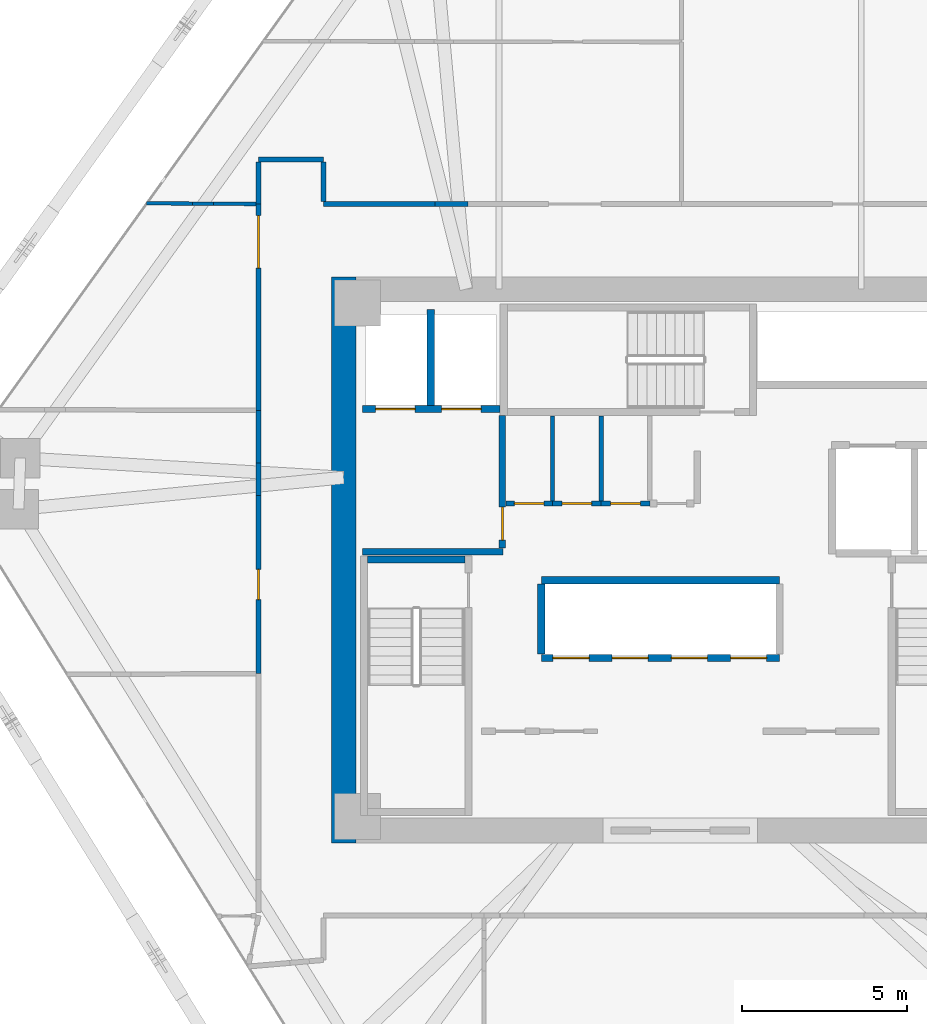
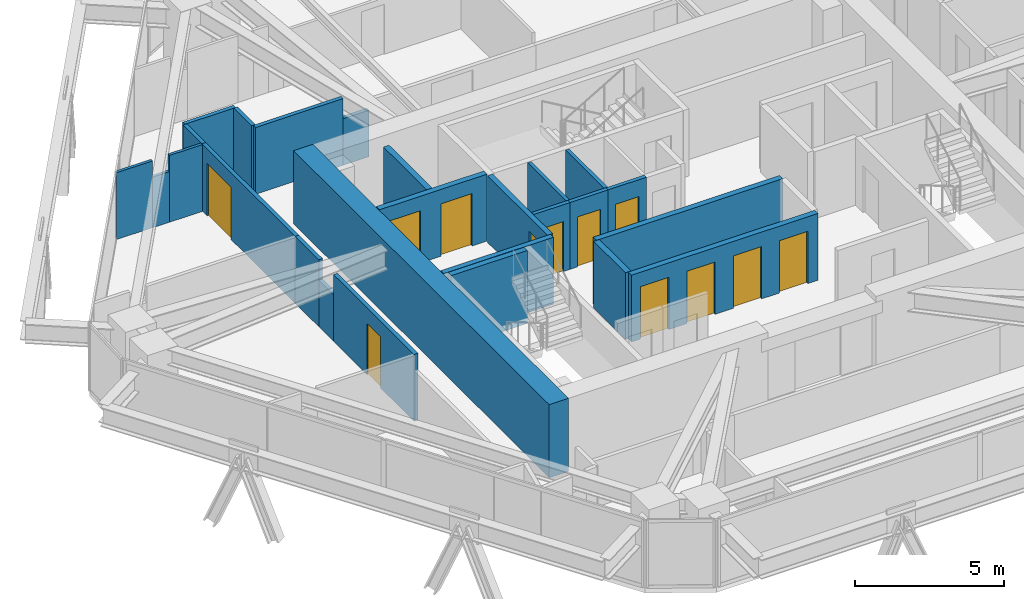
# One storey, part 13 of 17: 26 walls, 12 doors, 12 openings.
"""IFC4 building model written with IfcOpenShell, lengths in metres."""

from ifc_helpers import new_model, si_unit, direction, frame, frame_2d, origin, place, context, subcontext, project, spatial, rectangle, extrude, source, transform, mapped, material, layer, layer_set, type_object, type_shapes, element, fill, save


model = new_model("IFC4")

# Units and contexts
model_context = context("Model", 3, precision=1e-05, world=origin(), true_north=direction((0.0, 1.0)))
body_context = subcontext(model_context, "Body", "Model", "MODEL_VIEW")
ifc_project = project(units=[si_unit("LENGTHUNIT", "METRE"), si_unit("AREAUNIT", "SQUARE_METRE"), si_unit("VOLUMEUNIT", "CUBIC_METRE"), si_unit("PLANEANGLEUNIT", "RADIAN"), si_unit("MASSUNIT", "GRAM", prefix="KILO")], contexts=[model_context])

# Site, building, storey
site_placement = place(None, origin())
site = spatial("IfcSite", under=ifc_project, at=site_placement, CompositionType="ELEMENT")
building_placement = place(site_placement, origin())
building = spatial("IfcBuilding", under=site, at=building_placement, Name="Durnholm Broadcast Tower", CompositionType="ELEMENT")
storey_placement = place(building_placement, frame((0.0, 0.0, 137.10009765625)))
storey = spatial("IfcBuildingStorey", under=building, at=storey_placement, Name="L37", CompositionType="ELEMENT", Elevation=137.10009765625)

# Walls
ifc_material_1 = material(Name="Concrete C70/85", Category="concrete")
ifc_layer_1 = layer(ifc_material_1, 0.75)
ifc_layer_set_1 = layer_set([ifc_layer_1], Name="Concrete C70/85")
wall_type_1 = type_object("IfcWallType", Name="WALL-CW-750", PredefinedType="SHEAR", material=ifc_layer_set_1)
wall_1_placement = place(storey_placement, frame((-10.22509765625, -8.60009765625, 0.0), z_axis=(0.0, 0.0, 1.0), x_axis=(0.0, 1.0, 0.0)))
element("IfcWall", 1, at=wall_1_placement, inside=storey, type_object=wall_type_1, Name="L37 central core shear wall CW-WEST", PredefinedType="SHEAR", context=body_context, shape_type="SweptSolid", body=[
    extrude(rectangle(XDim=17.2001953125, YDim=0.75, at=frame_2d((8.60009765625, 0.0))), origin(), (0.0, 0.0, 1.0), 3.0),
])
ifc_material_2 = material(Name="Fire-Rated Gypsum Shaftwall", Category="concrete")
ifc_layer_2 = layer(ifc_material_2, 0.199951171875)
ifc_layer_set_2 = layer_set([ifc_layer_2], Name="Fire-Rated Gypsum Shaftwall")
wall_type_2 = type_object("IfcWallType", Name="WALL-LOB-200", PredefinedType="SOLIDWALL", material=ifc_layer_set_2)
wall_2_placement = place(storey_placement, frame((-9.64990234375, 0.25, 0.0), z_axis=(0.0, 0.0, 1.0), x_axis=(1.0, 0.0, 0.0)))
element("IfcWall", 2, at=wall_2_placement, inside=storey, type_object=wall_type_2, Name="L37 Fire Service Access Elevator lobby south wall", PredefinedType="SOLIDWALL", context=body_context, shape_type="SweptSolid", body=[
    extrude(rectangle(XDim=4.27001953125, YDim=0.199951171875, at=frame_2d((2.135009765625, 0.0))), origin(), (0.0, 0.0, 1.0), 2.744873046875),
])

# Wall, opening, door
wall_3_placement = place(storey_placement, frame((-5.39990234375, 0.35400390625, 0.0), z_axis=(0.0, 0.0, 1.0), x_axis=(0.0, 1.0, 0.0)))
wall_3 = element("IfcWall", 3, at=wall_3_placement, inside=storey, type_object=wall_type_2, Name="L37 Fire Service Access Elevator lobby east fire wall", PredefinedType="SOLIDWALL", context=body_context, shape_type="SweptSolid", body=[
    extrude(rectangle(XDim=4.02587890625, YDim=0.199951171875, at=frame_2d((2.012939453125, 0.0))), origin(), (0.0, 0.0, 1.0), 2.744873046875),
])
opening_1_placement = place(wall_3_placement, frame((0.24609375, 0.0, 0.0)))
opening_1 = element("IfcOpeningElement", 4, at=opening_1_placement, cuts=wall_3, Name="Opening DL-60R", PredefinedType="OPENING", context=body_context, shape_type="SweptSolid", body=[
    extrude(rectangle(XDim=1.0, YDim=2.14990234375, at=frame_2d((0.5, 1.074951171875))), frame((0.0, 0.10986328125, 0.0), z_axis=(0.0, -1.0, 0.0), x_axis=(1.0, 0.0, 0.0)), (0.0, 0.0, 1.0), 0.219970703125),
])
ifc_material_3 = material(Name="Fire-Rated Timber/Steel Door", Category="steel")
ifc_layer_3 = layer(ifc_material_3, 0.050048828125)
ifc_layer_set_3 = layer_set([ifc_layer_3], Name="Fire-Rated Timber/Steel Door")
door_type_1 = type_object("IfcDoorType", Name="DOOR-LOB-FD60-R", OperationType="NOTDEFINED", PredefinedType="DOOR", material=ifc_layer_set_3)
shared_shape_1 = source(origin(), body_context, "Body", "SweptSolid", [
    extrude(rectangle(XDim=1.0, YDim=2.14990234375, at=frame_2d((0.5, 1.074951171875))), frame((0.0, 0.02490234375, 0.0), z_axis=(0.0, -1.0, 0.0), x_axis=(1.0, 0.0, 0.0)), (0.0, 0.0, 1.0), 0.050048828125),
])
type_shapes(door_type_1, [shared_shape_1])
door_1_placement = place(opening_1_placement, origin())
door_1 = element("IfcDoor", 5, at=door_1_placement, inside=storey, type_object=door_type_1, Name="L37 Fire Service Access Elevator lobby smoke door", OperationType="SINGLE_SWING_RIGHT", OverallHeight=2.14990234375, OverallWidth=1.0, PredefinedType="DOOR", context=body_context, shape_type="MappedRepresentation", body=[
    mapped(shared_shape_1, transform((0.0, 0.0, 0.0), x_axis=(1.0, 0.0, 0.0), y_axis=(0.0, 1.0, 0.0), z_axis=(0.0, 0.0, 1.0), scale=1.0)),
])
fill(opening_1, door_1)

# Walls
ifc_material_4 = material(Name="Operable Acoustic Panel Partition", Category="aluminium")
ifc_layer_4 = layer(ifc_material_4, 0.110107421875)
ifc_layer_set_4 = layer_set([ifc_layer_4], Name="Operable Acoustic Panel Partition")
wall_type_3 = type_object("IfcWallType", Name="WALL-MOV-110", PredefinedType="MOVABLE", material=ifc_layer_set_4)
wall_4_placement = place(storey_placement, frame((-12.888916015625, 10.810546875, 0.0), z_axis=(0.0, 0.0, 1.0), x_axis=(-0.999976553189, 0.00684785161, 0.0)))
element("IfcWall", 6, at=wall_4_placement, inside=storey, type_object=wall_type_3, Name="L37 room dividing partition 11.18", PredefinedType="MOVABLE", context=body_context, shape_type="SweptSolid", body=[
    extrude(rectangle(XDim=1.283447265625, YDim=0.110107421875, at=frame_2d((0.6416015625, 0.0))), origin(), (0.0, 0.0, 1.0), 2.744873046875),
])
wall_5_placement = place(storey_placement, frame((-14.82080078125, 10.82373046875, 0.0), z_axis=(0.0, 0.0, 1.0), x_axis=(-0.999976577186, 0.006844346527, 0.0)))
element("IfcWall", 7, at=wall_5_placement, inside=storey, type_object=wall_type_3, Name="L37 room dividing partition 11.18", PredefinedType="MOVABLE", context=body_context, shape_type="SweptSolid", body=[
    extrude(rectangle(XDim=1.39111328125, YDim=0.110107421875, at=frame_2d((0.695556640625, 0.0))), origin(), (0.0, 0.0, 1.0), 2.744873046875),
])
wall_6_placement = place(storey_placement, frame((-14.17236328125, 10.8193359375, 0.0), z_axis=(0.0, 0.0, 1.0), x_axis=(-0.999977036192, 0.006776952806, 0.0)))
element("IfcWall", 8, at=wall_6_placement, inside=storey, type_object=wall_type_3, Name="L37 room dividing partition 11.18", PredefinedType="MOVABLE", context=body_context, shape_type="SweptSolid", body=[
    extrude(rectangle(XDim=0.6484375, YDim=0.110107421875, at=frame_2d((0.32421875, 0.0))), origin(), (0.0, 0.0, 1.0), 2.079833984375),
])
ifc_material_5 = material(Name="Gypsum Metal Stud Partition", Category="concrete")
ifc_layer_5 = layer(ifc_material_5, 0.135009765625)
ifc_layer_set_5 = layer_set([ifc_layer_5], Name="Gypsum Metal Stud Partition")
wall_type_4 = type_object("IfcWallType", Name="WALL-PART-135", PredefinedType="PARTITIONING", material=ifc_layer_set_5)
for number, where, z_axis, x_axis, name in (
    (9, (-3.8798828125, 4.375, 0.0), (0.0, 0.0, 1.0), (0.0, -1.0, 0.0), "L37 room dividing partition 4.5"),
    (10, (-2.39990234375, 4.375, 0.0), (0.0, 0.0, 1.0), (0.0, -1.0, 0.0), "L37 room dividing partition 5.6"),
):
    element("IfcWall", number, at=place(storey_placement, frame(where, z_axis=z_axis, x_axis=x_axis)), inside=storey, type_object=wall_type_4, Name=name, PredefinedType="PARTITIONING", context=body_context, shape_type="SweptSolid", body=[
        extrude(rectangle(XDim=2.5859375, YDim=0.135009765625, at=frame_2d((1.29296875, 0.0))), origin(), (0.0, 0.0, 1.0), 2.744873046875),
    ])

# Wall, opening, door
ifc_material_6 = material(Name="Acoustic Gypsum Stud Partition", Category="concrete")
ifc_layer_6 = layer(ifc_material_6, 0.14990234375)
ifc_layer_set_6 = layer_set([ifc_layer_6], Name="Acoustic Gypsum Stud Partition")
wall_type_5 = type_object("IfcWallType", Name="WALL-PART-150", PredefinedType="PARTITIONING", material=ifc_layer_set_6)
wall_7_placement = place(storey_placement, frame((-3.8798828125, 1.7099609375, 0.0), z_axis=(0.0, 0.0, 1.0), x_axis=(-1.0, 0.0, 0.0)))
wall_7 = element("IfcWall", 11, at=wall_7_placement, inside=storey, type_object=wall_type_5, Name="L37 Core First Aid Store corridor partition", PredefinedType="PARTITIONING", context=body_context, shape_type="SweptSolid", body=[
    extrude(rectangle(XDim=1.416015625, YDim=0.14990234375, at=frame_2d((0.7080078125, 0.0))), origin(), (0.0, 0.0, 1.0), 2.744873046875),
])
opening_2_placement = place(wall_7_placement, frame((0.258056640625, 0.0, 0.0)))
opening_2 = element("IfcOpeningElement", 12, at=opening_2_placement, cuts=wall_7, Name="Opening DC-60R", PredefinedType="OPENING", context=body_context, shape_type="SweptSolid", body=[
    extrude(rectangle(XDim=0.89990234375, YDim=2.050048828125, at=frame_2d((0.449951171875, 1.02490234375))), frame((0.0, 0.0849609375, 0.0), z_axis=(0.0, -1.0, 0.0), x_axis=(1.0, 0.0, 0.0)), (0.0, 0.0, 1.0), 0.169921875),
])
ifc_material_7 = material(Name="Fire-Rated Core Service Door", Category="steel")
ifc_layer_7 = layer(ifc_material_7, 0.050048828125)
ifc_layer_set_7 = layer_set([ifc_layer_7], Name="Fire-Rated Core Service Door")
door_type_2 = type_object("IfcDoorType", Name="DOOR-CORE-FD60-R", OperationType="NOTDEFINED", PredefinedType="DOOR", material=ifc_layer_set_7)
shared_shape_2 = source(origin(), body_context, "Body", "SweptSolid", [
    extrude(rectangle(XDim=0.89990234375, YDim=2.050048828125, at=frame_2d((0.449951171875, 1.02490234375))), frame((0.0, 0.02490234375, 0.0), z_axis=(0.0, -1.0, 0.0), x_axis=(1.0, 0.0, 0.0)), (0.0, 0.0, 1.0), 0.050048828125),
])
type_shapes(door_type_2, [shared_shape_2])
door_2_placement = place(opening_2_placement, origin())
door_2 = element("IfcDoor", 13, at=door_2_placement, inside=storey, type_object=door_type_2, Name="L37 Core First Aid Store entrance door", OperationType="SINGLE_SWING_RIGHT", OverallHeight=2.050048828125, OverallWidth=0.89990234375, PredefinedType="DOOR", context=body_context, shape_type="MappedRepresentation", body=[
    mapped(shared_shape_2, transform((0.0, 0.0, 0.0), x_axis=(1.0, 0.0, 0.0), y_axis=(0.0, 1.0, 0.0), z_axis=(0.0, 0.0, 1.0), scale=1.0)),
])
fill(opening_2, door_2)

wall_8_placement = place(storey_placement, frame((-2.39990234375, 1.7099609375, 0.0), z_axis=(0.0, 0.0, 1.0), x_axis=(-1.0, 0.0, 0.0)))
wall_8 = element("IfcWall", 14, at=wall_8_placement, inside=storey, type_object=wall_type_5, Name="L37 Core Linen Supply Closet corridor partition", PredefinedType="PARTITIONING", context=body_context, shape_type="SweptSolid", body=[
    extrude(rectangle(XDim=1.47998046875, YDim=0.14990234375, at=frame_2d((0.739990234375, 0.0))), origin(), (0.0, 0.0, 1.0), 2.744873046875),
])
opening_3_placement = place(wall_8_placement, frame((0.2900390625, 0.0, 0.0)))
opening_3 = element("IfcOpeningElement", 15, at=opening_3_placement, cuts=wall_8, Name="Opening DC-60L", PredefinedType="OPENING", context=body_context, shape_type="SweptSolid", body=[
    extrude(rectangle(XDim=0.89990234375, YDim=2.050048828125, at=frame_2d((0.449951171875, 1.02490234375))), frame((0.0, 0.0849609375, 0.0), z_axis=(0.0, -1.0, 0.0), x_axis=(1.0, 0.0, 0.0)), (0.0, 0.0, 1.0), 0.169921875),
])
ifc_layer_8 = layer(ifc_material_7, 0.050048828125)
ifc_layer_set_8 = layer_set([ifc_layer_8], Name="Fire-Rated Core Service Door")
door_type_3 = type_object("IfcDoorType", Name="DOOR-CORE-FD60-L", OperationType="NOTDEFINED", PredefinedType="DOOR", material=ifc_layer_set_8)
shared_shape_3 = source(origin(), body_context, "Body", "SweptSolid", [
    extrude(rectangle(XDim=0.89990234375, YDim=2.050048828125, at=frame_2d((0.449951171875, 1.02490234375))), frame((0.0, 0.02490234375, 0.0), z_axis=(0.0, -1.0, 0.0), x_axis=(1.0, 0.0, 0.0)), (0.0, 0.0, 1.0), 0.050048828125),
])
type_shapes(door_type_3, [shared_shape_3])
door_3_placement = place(opening_3_placement, origin())
door_3 = element("IfcDoor", 16, at=door_3_placement, inside=storey, type_object=door_type_3, Name="L37 Core Linen Supply Closet entrance door", OperationType="SINGLE_SWING_LEFT", OverallHeight=2.050048828125, OverallWidth=0.89990234375, PredefinedType="DOOR", context=body_context, shape_type="MappedRepresentation", body=[
    mapped(shared_shape_3, transform((0.0, 0.0, 0.0), x_axis=(1.0, 0.0, 0.0), y_axis=(0.0, 1.0, 0.0), z_axis=(0.0, 0.0, 1.0), scale=1.0)),
])
fill(opening_3, door_3)

wall_9_placement = place(storey_placement, frame((-0.919921875, 1.7099609375, 0.0), z_axis=(0.0, 0.0, 1.0), x_axis=(-1.0, 0.0, 0.0)))
wall_9 = element("IfcWall", 17, at=wall_9_placement, inside=storey, type_object=wall_type_5, Name="L37 Core Safety Gear Store corridor partition", PredefinedType="PARTITIONING", context=body_context, shape_type="SweptSolid", body=[
    extrude(rectangle(XDim=1.47998046875, YDim=0.14990234375, at=frame_2d((0.739990234375, 0.0))), origin(), (0.0, 0.0, 1.0), 2.744873046875),
])
opening_4_placement = place(wall_9_placement, frame((0.2900390625, 0.0, 0.0)))
opening_4 = element("IfcOpeningElement", 18, at=opening_4_placement, cuts=wall_9, Name="Opening DC-60R", PredefinedType="OPENING", context=body_context, shape_type="SweptSolid", body=[
    extrude(rectangle(XDim=0.89990234375, YDim=2.050048828125, at=frame_2d((0.449951171875, 1.02490234375))), frame((0.0, 0.0849609375, 0.0), z_axis=(0.0, -1.0, 0.0), x_axis=(1.0, 0.0, 0.0)), (0.0, 0.0, 1.0), 0.169921875),
])
door_4_placement = place(opening_4_placement, origin())
door_4 = element("IfcDoor", 19, at=door_4_placement, inside=storey, type_object=door_type_2, Name="L37 Core Safety Gear Store entrance door", OperationType="SINGLE_SWING_RIGHT", OverallHeight=2.050048828125, OverallWidth=0.89990234375, PredefinedType="DOOR", context=body_context, shape_type="MappedRepresentation", body=[
    mapped(shared_shape_2, transform((0.0, 0.0, 0.0), x_axis=(1.0, 0.0, 0.0), y_axis=(0.0, 1.0, 0.0), z_axis=(0.0, 0.0, 1.0), scale=1.0)),
])
fill(opening_4, door_4)

# Walls
wall_10_placement = place(storey_placement, frame((-7.44287109375, 10.81005859375, 0.0), z_axis=(0.0, 0.0, 1.0), x_axis=(-1.0, 0.0, 0.0)))
element("IfcWall", 20, at=wall_10_placement, inside=storey, type_object=wall_type_5, Name="L37 Interactive Media Hall corridor partition", PredefinedType="PARTITIONING", context=body_context, shape_type="SweptSolid", body=[
    extrude(rectangle(XDim=3.397216796875, YDim=0.14990234375, at=frame_2d((1.69873046875, 0.0))), origin(), (0.0, 0.0, 1.0), 2.744873046875),
])
wall_11_placement = place(storey_placement, frame((-6.441162109375, 10.81005859375, 0.0), z_axis=(0.0, 0.0, 1.0), x_axis=(-1.0, 0.0, 0.0)))
element("IfcWall", 21, at=wall_11_placement, inside=storey, type_object=wall_type_5, Name="L37 Interactive Media Hall corridor partition", PredefinedType="PARTITIONING", context=body_context, shape_type="SweptSolid", body=[
    extrude(rectangle(XDim=1.001708984375, YDim=0.14990234375, at=frame_2d((0.5009765625, 0.0))), origin(), (0.0, 0.0, 1.0), 1.912109375),
])
wall_12_placement = place(storey_placement, frame((-10.840087890625, 12.159912109375, 0.0), z_axis=(0.0, 0.0, 1.0), x_axis=(-1.0, 0.0, 0.0)))
element("IfcWall", 22, at=wall_12_placement, inside=storey, type_object=wall_type_5, Name="L37 Interactive Media Hall corridor partition", PredefinedType="PARTITIONING", context=body_context, shape_type="SweptSolid", body=[
    extrude(rectangle(XDim=1.969970703125, YDim=0.14990234375, at=frame_2d((0.98486328125, 0.0))), origin(), (0.0, 0.0, 1.0), 2.744873046875),
])
wall_13_placement = place(storey_placement, frame((-10.840087890625, 10.888916015625, 0.0), z_axis=(0.0, 0.0, 1.0), x_axis=(0.0, 1.0, 0.0)))
element("IfcWall", 23, at=wall_13_placement, inside=storey, type_object=wall_type_5, Name="L37 Interactive Media Hall corridor partition", PredefinedType="PARTITIONING", context=body_context, shape_type="SweptSolid", body=[
    extrude(rectangle(XDim=1.192138671875, YDim=0.14990234375, at=frame_2d((0.59619140625, 0.0))), origin(), (0.0, 0.0, 1.0), 2.744873046875),
])
wall_14_placement = place(storey_placement, frame((-12.81005859375, 12.0810546875, 0.0), z_axis=(0.0, 0.0, 1.0), x_axis=(0.0, -1.0, 0.0)))
element("IfcWall", 24, at=wall_14_placement, inside=storey, type_object=wall_type_5, Name="L37 Interactive Media Hall corridor partition", PredefinedType="PARTITIONING", context=body_context, shape_type="SweptSolid", body=[
    extrude(rectangle(XDim=1.27099609375, YDim=0.14990234375, at=frame_2d((0.635498046875, 0.0))), origin(), (0.0, 0.0, 1.0), 2.744873046875),
])
wall_15_placement = place(storey_placement, frame((-12.81005859375, 4.5400390625, 0.0), z_axis=(0.0, 0.0, 1.0), x_axis=(0.0, -1.0, 0.0)))
element("IfcWall", 25, at=wall_15_placement, inside=storey, type_object=wall_type_5, Name="L37 Open Plan Broadcast Workspace 2 corridor partition", PredefinedType="PARTITIONING", context=body_context, shape_type="SweptSolid", body=[
    extrude(rectangle(XDim=1.591552734375, YDim=0.14990234375, at=frame_2d((0.7958984375, 0.0))), origin(), (0.0, 0.0, 1.0), 2.744873046875),
])

# Wall, opening, door
wall_16_placement = place(storey_placement, frame((-12.81005859375, 1.955322265625, 0.0), z_axis=(0.0, 0.0, 1.0), x_axis=(0.0, -1.0, 0.0)))
wall_16 = element("IfcWall", 26, at=wall_16_placement, inside=storey, type_object=wall_type_5, Name="L37 Open Plan Broadcast Workspace 2 corridor partition", PredefinedType="PARTITIONING", context=body_context, shape_type="SweptSolid", body=[
    extrude(rectangle(XDim=5.415283203125, YDim=0.14990234375, at=frame_2d((2.70751953125, 0.0))), origin(), (0.0, 0.0, 1.0), 2.744873046875),
])
opening_5_placement = place(wall_16_placement, frame((2.247802734375, 0.0, 0.0)))
opening_5 = element("IfcOpeningElement", 27, at=opening_5_placement, cuts=wall_16, Name="Opening DR-92L", PredefinedType="OPENING", context=body_context, shape_type="SweptSolid", body=[
    extrude(rectangle(XDim=0.919921875, YDim=2.10009765625, at=frame_2d((0.4599609375, 1.050048828125))), frame((0.0, 0.0849609375, 0.0), z_axis=(0.0, -1.0, 0.0), x_axis=(1.0, 0.0, 0.0)), (0.0, 0.0, 1.0), 0.169921875),
])
ifc_material_8 = material(Name="Oak Veneer Office Door", Category="wood")
ifc_layer_9 = layer(ifc_material_8, 0.050048828125)
ifc_layer_set_9 = layer_set([ifc_layer_9], Name="Oak Veneer Office Door")
door_type_4 = type_object("IfcDoorType", Name="DOOR-RM-920L", OperationType="NOTDEFINED", PredefinedType="DOOR", material=ifc_layer_set_9)
shared_shape_4 = source(origin(), body_context, "Body", "SweptSolid", [
    extrude(rectangle(XDim=0.919921875, YDim=2.10009765625, at=frame_2d((0.4599609375, 1.050048828125))), frame((0.0, 0.02490234375, 0.0), z_axis=(0.0, -1.0, 0.0), x_axis=(1.0, 0.0, 0.0)), (0.0, 0.0, 1.0), 0.050048828125),
])
type_shapes(door_type_4, [shared_shape_4])
door_5_placement = place(opening_5_placement, origin())
door_5 = element("IfcDoor", 28, at=door_5_placement, inside=storey, type_object=door_type_4, Name="L37 Open Plan Broadcast Workspace 2 entrance door", OperationType="SINGLE_SWING_LEFT", OverallHeight=2.10009765625, OverallWidth=0.919921875, PredefinedType="DOOR", context=body_context, shape_type="MappedRepresentation", body=[
    mapped(shared_shape_4, transform((0.0, 0.0, 0.0), x_axis=(1.0, 0.0, 0.0), y_axis=(0.0, 1.0, 0.0), z_axis=(0.0, 0.0, 1.0), scale=1.0)),
])
fill(opening_5, door_5)

# Wall
wall_17_placement = place(storey_placement, frame((-12.81005859375, 2.948486328125, 0.0), z_axis=(0.0, 0.0, 1.0), x_axis=(0.0, -1.0, 0.0)))
element("IfcWall", 29, at=wall_17_placement, inside=storey, type_object=wall_type_5, Name="L37 Open Plan Broadcast Workspace 2 corridor partition", PredefinedType="PARTITIONING", context=body_context, shape_type="SweptSolid", body=[
    extrude(rectangle(XDim=0.9931640625, YDim=0.14990234375, at=frame_2d((0.49658203125, 0.0))), origin(), (0.0, 0.0, 1.0), 1.912109375),
])

# Wall, opening, door
wall_18_placement = place(storey_placement, frame((-12.81005859375, 10.81005859375, 0.0), z_axis=(0.0, 0.0, 1.0), x_axis=(0.0, -1.0, 0.0)))
wall_18 = element("IfcWall", 30, at=wall_18_placement, inside=storey, type_object=wall_type_5, Name="L37 Virtual Production Auditorium corridor partition", PredefinedType="PARTITIONING", context=body_context, shape_type="SweptSolid", body=[
    extrude(rectangle(XDim=6.27001953125, YDim=0.14990234375, at=frame_2d((3.135009765625, 0.0))), origin(), (0.0, 0.0, 1.0), 2.744873046875),
])
opening_6_placement = place(wall_18_placement, frame((0.35009765625, 0.0, 0.0)))
opening_6 = element("IfcOpeningElement", 31, at=opening_6_placement, cuts=wall_18, Name="Opening DST-160", PredefinedType="OPENING", context=body_context, shape_type="SweptSolid", body=[
    extrude(rectangle(XDim=1.60009765625, YDim=2.14990234375, at=frame_2d((0.800048828125, 1.074951171875))), frame((0.0, 0.0849609375, 0.0), z_axis=(0.0, -1.0, 0.0), x_axis=(1.0, 0.0, 0.0)), (0.0, 0.0, 1.0), 0.169921875),
])
ifc_material_9 = material(Name="Acoustic Broadcast Studio Sound-Lock Door", Category="steel")
ifc_layer_10 = layer(ifc_material_9, 0.050048828125)
ifc_layer_set_10 = layer_set([ifc_layer_10], Name="Acoustic Broadcast Studio Sound-Lock Door")
door_type_5 = type_object("IfcDoorType", Name="DOOR-STU-1600", OperationType="DOUBLE_DOOR_SINGLE_SWING", PredefinedType="DOOR", material=ifc_layer_set_10)
shared_shape_5 = source(origin(), body_context, "Body", "SweptSolid", [
    extrude(rectangle(XDim=1.60009765625, YDim=2.14990234375, at=frame_2d((0.800048828125, 1.074951171875))), frame((0.0, 0.02490234375, 0.0), z_axis=(0.0, -1.0, 0.0), x_axis=(1.0, 0.0, 0.0)), (0.0, 0.0, 1.0), 0.050048828125),
])
type_shapes(door_type_5, [shared_shape_5])
door_6_placement = place(opening_6_placement, origin())
door_6 = element("IfcDoor", 32, at=door_6_placement, inside=storey, type_object=door_type_5, Name="L37 Virtual Production Auditorium entrance door", OperationType="DOUBLE_DOOR_SINGLE_SWING", OverallHeight=2.14990234375, OverallWidth=1.60009765625, PredefinedType="DOOR", context=body_context, shape_type="MappedRepresentation", body=[
    mapped(shared_shape_5, transform((0.0, 0.0, 0.0), x_axis=(1.0, 0.0, 0.0), y_axis=(0.0, 1.0, 0.0), z_axis=(0.0, 0.0, 1.0), scale=1.0)),
])
fill(opening_6, door_6)

# Wall, openings, doors
ifc_material_10 = material(Name="Concrete Blockwork C30/37", Category="masonry")
ifc_layer_11 = layer(ifc_material_10, 0.219970703125)
ifc_layer_set_11 = layer_set([ifc_layer_11], Name="Concrete Blockwork C30/37")
wall_type_6 = type_object("IfcWallType", Name="WALL-SHAFT-220", PredefinedType="SOLIDWALL", material=ifc_layer_set_11)
wall_19_placement = place(storey_placement, frame((-9.64990234375, 4.580078125, 0.0), z_axis=(0.0, 0.0, 1.0), x_axis=(1.0, 0.0, 0.0)))
wall_19 = element("IfcWall", 33, at=wall_19_placement, inside=storey, type_object=wall_type_6, Name="L37 FSAE hoistway front fire wall", PredefinedType="SOLIDWALL", context=body_context, shape_type="SweptSolid", body=[
    extrude(rectangle(XDim=4.1748046875, YDim=0.219970703125, at=frame_2d((2.08740234375, 0.0))), origin(), (0.0, 0.0, 1.0), 2.744873046875),
])
opening_7_placement = place(wall_19_placement, frame((0.39990234375, 0.0, 0.0)))
opening_7 = element("IfcOpeningElement", 34, at=opening_7_placement, cuts=wall_19, Name="Opening LD-FSAE-2", PredefinedType="OPENING", context=body_context, shape_type="SweptSolid", body=[
    extrude(rectangle(XDim=1.199951171875, YDim=2.14990234375, at=frame_2d((0.60009765625, 1.074951171875))), frame((0.0, 0.1201171875, 0.0), z_axis=(0.0, -1.0, 0.0), x_axis=(1.0, 0.0, 0.0)), (0.0, 0.0, 1.0), 0.239990234375),
])
opening_8_placement = place(wall_19_placement, frame((2.39990234375, 0.0, 0.0)))
opening_8 = element("IfcOpeningElement", 35, at=opening_8_placement, cuts=wall_19, Name="Opening LD-FSAE-1", PredefinedType="OPENING", context=body_context, shape_type="SweptSolid", body=[
    extrude(rectangle(XDim=1.199951171875, YDim=2.14990234375, at=frame_2d((0.60009765625, 1.074951171875))), frame((0.0, 0.1201171875, 0.0), z_axis=(0.0, -1.0, 0.0), x_axis=(1.0, 0.0, 0.0)), (0.0, 0.0, 1.0), 0.239990234375),
])
ifc_material_11 = material(Name="Fire Service Access Sliding Landing Door", Category="steel")
ifc_layer_12 = layer(ifc_material_11, 0.050048828125)
ifc_layer_set_12 = layer_set([ifc_layer_12], Name="Fire Service Access Sliding Landing Door")
door_type_6 = type_object("IfcDoorType", Name="DOOR-LIFT-FSAE", OperationType="DOUBLE_DOOR_SLIDING", PredefinedType="DOOR", material=ifc_layer_set_12)
shared_shape_6 = source(origin(), body_context, "Body", "SweptSolid", [
    extrude(rectangle(XDim=1.199951171875, YDim=2.14990234375, at=frame_2d((0.60009765625, 1.074951171875))), frame((0.0, 0.02490234375, 0.0), z_axis=(0.0, -1.0, 0.0), x_axis=(1.0, 0.0, 0.0)), (0.0, 0.0, 1.0), 0.050048828125),
])
type_shapes(door_type_6, [shared_shape_6])
door_7_placement = place(opening_7_placement, origin())
door_7 = element("IfcDoor", 36, at=door_7_placement, inside=storey, type_object=door_type_6, Name="L37 Fire Service Access Elevator FSAE-2 sliding landing door", OperationType="DOUBLE_DOOR_SLIDING", OverallHeight=2.14990234375, OverallWidth=1.199951171875, PredefinedType="DOOR", context=body_context, shape_type="MappedRepresentation", body=[
    mapped(shared_shape_6, transform((0.0, 0.0, 0.0), x_axis=(1.0, 0.0, 0.0), y_axis=(0.0, 1.0, 0.0), z_axis=(0.0, 0.0, 1.0), scale=1.0)),
])
fill(opening_7, door_7)
door_8_placement = place(opening_8_placement, origin())
door_8 = element("IfcDoor", 37, at=door_8_placement, inside=storey, type_object=door_type_6, Name="L37 Fire Service Access Elevator FSAE-1 sliding landing door", OperationType="DOUBLE_DOOR_SLIDING", OverallHeight=2.14990234375, OverallWidth=1.199951171875, PredefinedType="DOOR", context=body_context, shape_type="MappedRepresentation", body=[
    mapped(shared_shape_6, transform((0.0, 0.0, 0.0), x_axis=(1.0, 0.0, 0.0), y_axis=(0.0, 1.0, 0.0), z_axis=(0.0, 0.0, 1.0), scale=1.0)),
])
fill(opening_8, door_8)

# Wall
wall_20_placement = place(storey_placement, frame((-7.580078125, 4.694091796875, 0.0), z_axis=(0.0, 0.0, 1.0), x_axis=(0.0, 1.0, 0.0)))
element("IfcWall", 38, at=wall_20_placement, inside=storey, type_object=wall_type_6, Name="L37 FSAE shaft divider wall", PredefinedType="SOLIDWALL", context=body_context, shape_type="SweptSolid", body=[
    extrude(rectangle(XDim=2.906005859375, YDim=0.219970703125, at=frame_2d((1.453125, 0.0))), origin(), (0.0, 0.0, 1.0), 2.744873046875),
])

# Wall, openings, doors
wall_21_placement = place(storey_placement, frame((-4.219970703125, -2.97998046875, 0.0), z_axis=(0.0, 0.0, 1.0), x_axis=(1.0, 0.0, 0.0)))
wall_21 = element("IfcWall", 39, at=wall_21_placement, inside=storey, type_object=wall_type_6, Name="L37 mid-rise bank P2 south front wall", PredefinedType="SOLIDWALL", context=body_context, shape_type="SweptSolid", body=[
    extrude(rectangle(XDim=7.239990234375, YDim=0.219970703125, at=frame_2d((3.6201171875, 0.0))), origin(), (0.0, 0.0, 1.0), 2.744873046875),
])
opening_9_placement = place(wall_21_placement, frame((0.35009765625, 0.0, 0.0)))
opening_9 = element("IfcOpeningElement", 40, at=opening_9_placement, cuts=wall_21, Name="Opening LD-LP2-1", PredefinedType="OPENING", context=body_context, shape_type="SweptSolid", body=[
    extrude(rectangle(XDim=1.10009765625, YDim=2.14990234375, at=frame_2d((0.550048828125, 1.074951171875))), frame((0.0, 0.1201171875, 0.0), z_axis=(0.0, -1.0, 0.0), x_axis=(1.0, 0.0, 0.0)), (0.0, 0.0, 1.0), 0.239990234375),
])
opening_10_placement = place(wall_21_placement, frame((2.14990234375, 0.0, 0.0)))
opening_10 = element("IfcOpeningElement", 41, at=opening_10_placement, cuts=wall_21, Name="Opening LD-LP2-2", PredefinedType="OPENING", context=body_context, shape_type="SweptSolid", body=[
    extrude(rectangle(XDim=1.10009765625, YDim=2.14990234375, at=frame_2d((0.550048828125, 1.074951171875))), frame((0.0, 0.1201171875, 0.0), z_axis=(0.0, -1.0, 0.0), x_axis=(1.0, 0.0, 0.0)), (0.0, 0.0, 1.0), 0.239990234375),
])
opening_11_placement = place(wall_21_placement, frame((3.949951171875, 0.0, 0.0)))
opening_11 = element("IfcOpeningElement", 42, at=opening_11_placement, cuts=wall_21, Name="Opening LD-LP2-3", PredefinedType="OPENING", context=body_context, shape_type="SweptSolid", body=[
    extrude(rectangle(XDim=1.10009765625, YDim=2.14990234375, at=frame_2d((0.550048828125, 1.074951171875))), frame((0.0, 0.1201171875, 0.0), z_axis=(0.0, -1.0, 0.0), x_axis=(1.0, 0.0, 0.0)), (0.0, 0.0, 1.0), 0.239990234375),
])
opening_12_placement = place(wall_21_placement, frame((5.75, 0.0, 0.0)))
opening_12 = element("IfcOpeningElement", 43, at=opening_12_placement, cuts=wall_21, Name="Opening LD-LP2-4", PredefinedType="OPENING", context=body_context, shape_type="SweptSolid", body=[
    extrude(rectangle(XDim=1.10009765625, YDim=2.14990234375, at=frame_2d((0.550048828125, 1.074951171875))), frame((0.0, 0.1201171875, 0.0), z_axis=(0.0, -1.0, 0.0), x_axis=(1.0, 0.0, 0.0)), (0.0, 0.0, 1.0), 0.239990234375),
])
ifc_material_12 = material(Name="Stainless Steel Sliding Elevator Landing Door", Category="steel")
ifc_layer_13 = layer(ifc_material_12, 0.050048828125)
ifc_layer_set_13 = layer_set([ifc_layer_13], Name="Stainless Steel Sliding Elevator Landing Door")
door_type_7 = type_object("IfcDoorType", Name="DOOR-LIFT-PAX", OperationType="DOUBLE_DOOR_SLIDING", PredefinedType="DOOR", material=ifc_layer_set_13)
shared_shape_7 = source(origin(), body_context, "Body", "SweptSolid", [
    extrude(rectangle(XDim=1.10009765625, YDim=2.14990234375, at=frame_2d((0.550048828125, 1.074951171875))), frame((0.0, 0.02490234375, 0.0), z_axis=(0.0, -1.0, 0.0), x_axis=(1.0, 0.0, 0.0)), (0.0, 0.0, 1.0), 0.050048828125),
])
type_shapes(door_type_7, [shared_shape_7])
door_9_placement = place(opening_9_placement, origin())
door_9 = element("IfcDoor", 44, at=door_9_placement, inside=storey, type_object=door_type_7, Name="L37 passenger elevator LP2-1 sliding landing door", OperationType="DOUBLE_DOOR_SLIDING", OverallHeight=2.14990234375, OverallWidth=1.10009765625, PredefinedType="DOOR", context=body_context, shape_type="MappedRepresentation", body=[
    mapped(shared_shape_7, transform((0.0, 0.0, 0.0), x_axis=(1.0, 0.0, 0.0), y_axis=(0.0, 1.0, 0.0), z_axis=(0.0, 0.0, 1.0), scale=1.0)),
])
fill(opening_9, door_9)
door_10_placement = place(opening_10_placement, origin())
door_10 = element("IfcDoor", 45, at=door_10_placement, inside=storey, type_object=door_type_7, Name="L37 passenger elevator LP2-2 sliding landing door", OperationType="DOUBLE_DOOR_SLIDING", OverallHeight=2.14990234375, OverallWidth=1.10009765625, PredefinedType="DOOR", context=body_context, shape_type="MappedRepresentation", body=[
    mapped(shared_shape_7, transform((0.0, 0.0, 0.0), x_axis=(1.0, 0.0, 0.0), y_axis=(0.0, 1.0, 0.0), z_axis=(0.0, 0.0, 1.0), scale=1.0)),
])
fill(opening_10, door_10)
door_11_placement = place(opening_11_placement, origin())
door_11 = element("IfcDoor", 46, at=door_11_placement, inside=storey, type_object=door_type_7, Name="L37 passenger elevator LP2-3 sliding landing door", OperationType="DOUBLE_DOOR_SLIDING", OverallHeight=2.14990234375, OverallWidth=1.10009765625, PredefinedType="DOOR", context=body_context, shape_type="MappedRepresentation", body=[
    mapped(shared_shape_7, transform((0.0, 0.0, 0.0), x_axis=(1.0, 0.0, 0.0), y_axis=(0.0, 1.0, 0.0), z_axis=(0.0, 0.0, 1.0), scale=1.0)),
])
fill(opening_11, door_11)
door_12_placement = place(opening_12_placement, origin())
door_12 = element("IfcDoor", 47, at=door_12_placement, inside=storey, type_object=door_type_7, Name="L37 passenger elevator LP2-4 sliding landing door", OperationType="DOUBLE_DOOR_SLIDING", OverallHeight=2.14990234375, OverallWidth=1.10009765625, PredefinedType="DOOR", context=body_context, shape_type="MappedRepresentation", body=[
    mapped(shared_shape_7, transform((0.0, 0.0, 0.0), x_axis=(1.0, 0.0, 0.0), y_axis=(0.0, 1.0, 0.0), z_axis=(0.0, 0.0, 1.0), scale=1.0)),
])
fill(opening_12, door_12)

# Walls
wall_22_placement = place(storey_placement, frame((-4.219970703125, -0.6201171875, 0.0), z_axis=(0.0, 0.0, 1.0), x_axis=(1.0, 0.0, 0.0)))
element("IfcWall", 48, at=wall_22_placement, inside=storey, type_object=wall_type_6, Name="L37 mid-rise bank P2 north shaft wall", PredefinedType="SOLIDWALL", context=body_context, shape_type="SweptSolid", body=[
    extrude(rectangle(XDim=7.239990234375, YDim=0.219970703125, at=frame_2d((3.6201171875, 0.0))), origin(), (0.0, 0.0, 1.0), 2.744873046875),
])
wall_23_placement = place(storey_placement, frame((-4.219970703125, -2.865966796875, 0.0), z_axis=(0.0, 0.0, 1.0), x_axis=(0.0, 1.0, 0.0)))
element("IfcWall", 49, at=wall_23_placement, inside=storey, type_object=wall_type_6, Name="L37 mid-rise bank P2 west shaft wall", PredefinedType="SOLIDWALL", context=body_context, shape_type="SweptSolid", body=[
    extrude(rectangle(XDim=2.132080078125, YDim=0.219970703125, at=frame_2d((1.06591796875, 0.0))), origin(), (0.0, 0.0, 1.0), 2.744873046875),
])
ifc_material_13 = material(Name="Concrete C50/60", Category="concrete")
ifc_layer_14 = layer(ifc_material_13, 0.219970703125)
ifc_layer_set_14 = layer_set([ifc_layer_14], Name="Concrete C50/60")
wall_type_7 = type_object("IfcWallType", Name="WALL-SW-220", PredefinedType="SHEAR", material=ifc_layer_set_14)
wall_24_placement = place(storey_placement, frame((-6.5400390625, 0.010009765625, -0.239990234375), z_axis=(0.0, 0.0, 1.0), x_axis=(-1.0, 0.0, 0.0)))
element("IfcWall", 50, at=wall_24_placement, inside=storey, type_object=wall_type_7, Name="L37 stair ST-1 structural shaft wall N", PredefinedType="SHEAR", context=body_context, shape_type="SweptSolid", body=[
    extrude(rectangle(XDim=2.9599609375, YDim=0.219970703125, at=frame_2d((1.47998046875, 0.0))), origin(), (0.0, 0.0, 1.0), 3.0),
])

save(model, "model.ifc")
